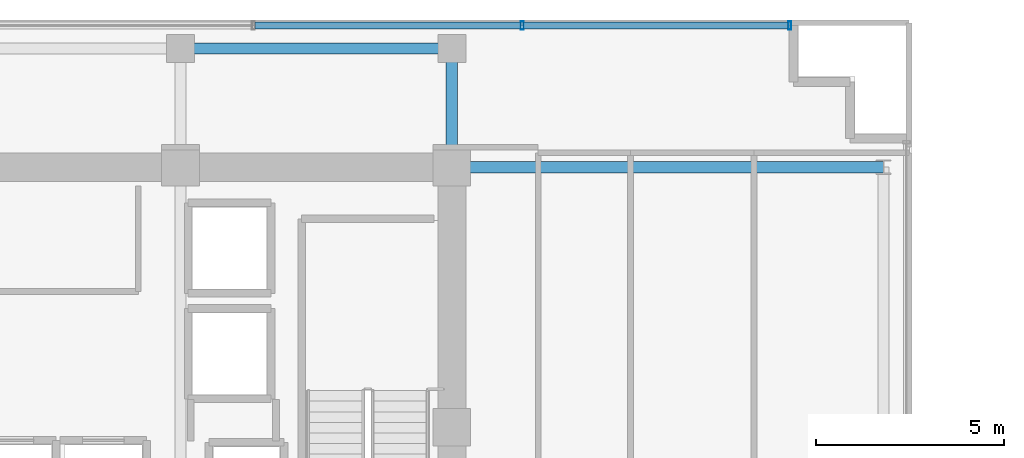
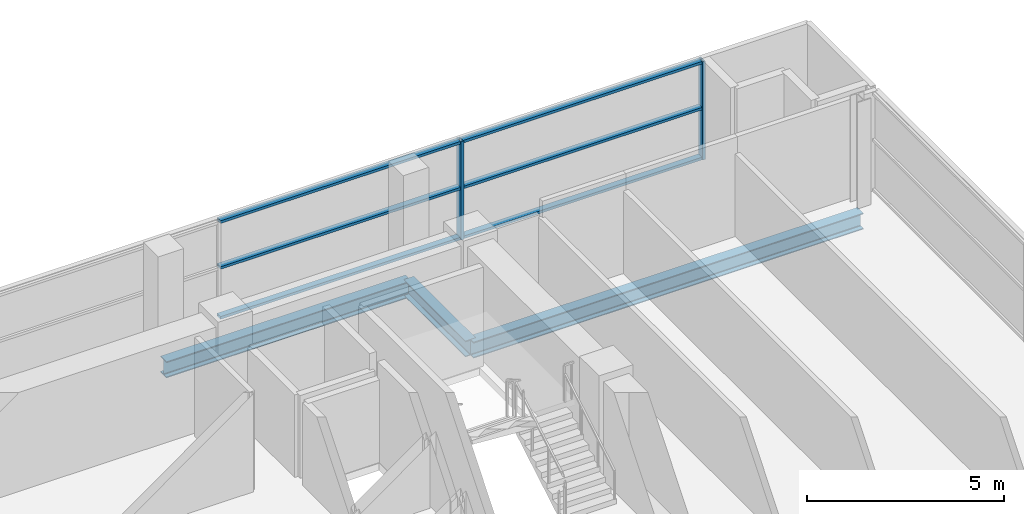
# One storey, part 12 of 21: 8 members, 3 beams, 1 element without a shape of its own.
"""IFC4 building model written with IfcOpenShell, lengths in metres."""

from ifc_helpers import new_model, si_unit, direction, frame, origin, origin_2d, place, context, subcontext, project, spatial, hollow_rectangle, i_section, extrude, source, transform, mapped, material, layer, layer_set, material_profile, profile_set, type_object, element, aggregate, save


model = new_model("IFC4")

# Units and contexts
model_context = context("Model", 3, precision=1e-05, world=origin(), true_north=direction((0.0, 1.0)))
body_context = subcontext(model_context, "Body", "Model", "MODEL_VIEW")
ifc_project = project(units=[si_unit("LENGTHUNIT", "METRE"), si_unit("AREAUNIT", "SQUARE_METRE"), si_unit("VOLUMEUNIT", "CUBIC_METRE"), si_unit("PLANEANGLEUNIT", "RADIAN"), si_unit("MASSUNIT", "GRAM", prefix="KILO")], contexts=[model_context])

# Site, building, storey
site_placement = place(None, origin())
site = spatial("IfcSite", under=ifc_project, at=site_placement, CompositionType="ELEMENT")
building_placement = place(site_placement, origin())
building = spatial("IfcBuilding", under=site, at=building_placement, Name="Zarnakvel Exchange Tower", CompositionType="ELEMENT")
storey_placement = place(building_placement, frame((0.0, 0.0, 189.10009765625)))
storey = spatial("IfcBuildingStorey", under=building, at=storey_placement, Name="L53", CompositionType="ELEMENT", Elevation=189.10009765625)

# Beams
ifc_material_1 = material(Name="Steel S355", Category="steel")
ifc_material_profile_1 = material_profile(ifc_material_1, i_section(OverallWidth=0.300048828125, OverallDepth=0.5, WebThickness=0.014404296875, FlangeThickness=0.028076171875, FilletRadius=0.027099609375, at=origin_2d()))
ifc_profile_set_1 = profile_set([ifc_material_profile_1], Name="Steel S355")
beam_type_1 = type_object("IfcBeamType", Name="G-06", PredefinedType="BEAM", material=ifc_profile_set_1)
beam_1_placement = place(storey_placement, frame((14.39990234375, 13.5, -0.47509765625), z_axis=(1.0, 0.0, 0.0), x_axis=(0.0, 1.0, 0.0)))
element("IfcBeam", 1, at=beam_1_placement, inside=storey, type_object=beam_type_1, Name="L53 Tower E-W Frame Beam", PredefinedType="BEAM", context=body_context, shape_type="SweptSolid", body=[
    extrude(i_section(OverallWidth=0.300048828125, OverallDepth=0.5, WebThickness=0.014404296875, FlangeThickness=0.028076171875, FilletRadius=0.027099609375, at=origin_2d()), origin(), (0.0, 0.0, 1.0), 11.4501953125),
])
beam_2_placement = place(storey_placement, frame((14.39990234375, 13.5, -0.47509765625), z_axis=(0.0, 1.0, 0.0), x_axis=(-1.0, 0.0, 0.0)))
element("IfcBeam", 2, at=beam_2_placement, inside=storey, type_object=beam_type_1, Name="L53 Tower N-S Frame Beam", PredefinedType="BEAM", context=body_context, shape_type="SweptSolid", body=[
    extrude(i_section(OverallWidth=0.300048828125, OverallDepth=0.5, WebThickness=0.014404296875, FlangeThickness=0.028076171875, FilletRadius=0.027099609375, at=origin_2d()), origin(), (0.0, 0.0, 1.0), 3.14990234375),
])
ifc_material_profile_2 = material_profile(ifc_material_1, i_section(OverallWidth=0.300048828125, OverallDepth=0.5, WebThickness=0.014404296875, FlangeThickness=0.028076171875, FilletRadius=0.027099609375, at=origin_2d()))
ifc_profile_set_2 = profile_set([ifc_material_profile_2], Name="Steel S355")
beam_type_2 = type_object("IfcBeamType", Name="SP-02", PredefinedType="SPANDREL", material=ifc_profile_set_2)
beam_3_placement = place(storey_placement, frame((7.199951171875, 16.64990234375, -0.47509765625), z_axis=(1.0, 0.0, 0.0), x_axis=(0.0, 1.0, 0.0)))
element("IfcBeam", 3, at=beam_3_placement, inside=storey, type_object=beam_type_2, Name="L53 Tower E-W Frame Beam", PredefinedType="SPANDREL", context=body_context, shape_type="SweptSolid", body=[
    extrude(i_section(OverallWidth=0.300048828125, OverallDepth=0.5, WebThickness=0.014404296875, FlangeThickness=0.028076171875, FilletRadius=0.027099609375, at=origin_2d()), origin(), (0.0, 0.0, 1.0), 7.199951171875),
])

# Curtain wall, members
ifc_material_2 = material(Name="Architectural Bronze Anodised Aluminium", Category="aluminium")
ifc_layer = layer(ifc_material_2, 0.219970703125)
ifc_layer_set = layer_set([ifc_layer], Name="Architectural Bronze Anodised Aluminium")
curtain_wall_type = type_object("IfcCurtainWallType", Name="CW-03", PredefinedType="NOTDEFINED", material=ifc_layer_set)
curtain_wall_placement = place(storey_placement, origin())
curtain_wall = element("IfcCurtainWall", 4, at=curtain_wall_placement, inside=storey, type_object=curtain_wall_type, Name="L53 Curtain Wall CW-L53-N1 (CW-03)", PredefinedType="NOTDEFINED")
ifc_material_profile_3 = material_profile(ifc_material_2, hollow_rectangle(XDim=0.219970703125, YDim=0.080078125, WallThickness=0.0048828125, at=origin_2d()))
ifc_profile_set_3 = profile_set([ifc_material_profile_3], Name="Architectural Bronze Anodised Aluminium")
member_type_1 = type_object("IfcMemberType", Name="CWM-03", PredefinedType="MULLION", material=ifc_profile_set_3)
shared_shape_1 = source(origin(), body_context, "Body", "SweptSolid", [
    extrude(hollow_rectangle(XDim=0.219970703125, YDim=0.080078125, WallThickness=0.0048828125, at=origin_2d()), origin(), (0.0, 0.0, 1.0), 3.054931640625),
])
member_1_placement = place(storey_placement, frame((16.2666015625, 17.260009765625, 0.0), z_axis=(0.0, 0.0, 1.0), x_axis=(0.0, 1.0, 0.0)))
member_1 = element("IfcMember", 5, at=member_1_placement, type_object=member_type_1, Name="CW-03 mullion 6", PredefinedType="MULLION", context=body_context, shape_type="MappedRepresentation", body=[
    mapped(shared_shape_1, transform((0.0, 0.0, 0.0), x_axis=(1.0, 0.0, 0.0), y_axis=(0.0, 1.0, 0.0), z_axis=(0.0, 0.0, 1.0), scale=1.0)),
])
member_2_placement = place(storey_placement, frame((23.360107421875, 17.260009765625, 0.0), z_axis=(0.0, 0.0, 1.0), x_axis=(0.0, 1.0, 0.0)))
member_2 = element("IfcMember", 6, at=member_2_placement, type_object=member_type_1, Name="CW-03 mullion 7", PredefinedType="MULLION", context=body_context, shape_type="MappedRepresentation", body=[
    mapped(shared_shape_1, transform((0.0, 0.0, 0.0), x_axis=(1.0, 0.0, 0.0), y_axis=(0.0, 1.0, 0.0), z_axis=(0.0, 0.0, 1.0), scale=1.0)),
])
ifc_material_profile_4 = material_profile(ifc_material_2, hollow_rectangle(XDim=0.179931640625, YDim=0.080078125, WallThickness=0.00390625, at=origin_2d()))
ifc_profile_set_4 = profile_set([ifc_material_profile_4], Name="Architectural Bronze Anodised Aluminium")
member_type_2 = type_object("IfcMemberType", Name="CWT-03", PredefinedType="USERDEFINED", material=ifc_profile_set_4)
shared_shape_2 = source(origin(), body_context, "Body", "SweptSolid", [
    extrude(hollow_rectangle(XDim=0.179931640625, YDim=0.080078125, WallThickness=0.00390625, at=origin_2d()), origin(), (0.0, 0.0, 1.0), 7.013427734375),
])
member_3_placement = place(storey_placement, frame((16.306640625, 17.260009765625, 0.039794921875), z_axis=(1.0, 0.0, 0.0), x_axis=(0.0, 1.0, 0.0)))
member_3 = element("IfcMember", 7, at=member_3_placement, type_object=member_type_2, Name="CW-03 transom 6.1", ObjectType="TRANSOM", PredefinedType="USERDEFINED", context=body_context, shape_type="MappedRepresentation", body=[
    mapped(shared_shape_2, transform((0.0, 0.0, 0.0), x_axis=(1.0, 0.0, 0.0), y_axis=(0.0, 1.0, 0.0), z_axis=(0.0, 0.0, 1.0), scale=1.0)),
])
member_4_placement = place(storey_placement, frame((16.306640625, 17.260009765625, 1.588623046875), z_axis=(1.0, 0.0, 0.0), x_axis=(0.0, 1.0, 0.0)))
member_4 = element("IfcMember", 8, at=member_4_placement, type_object=member_type_2, Name="CW-03 transom 6.2", ObjectType="TRANSOM", PredefinedType="USERDEFINED", context=body_context, shape_type="MappedRepresentation", body=[
    mapped(shared_shape_2, transform((0.0, 0.0, 0.0), x_axis=(1.0, 0.0, 0.0), y_axis=(0.0, 1.0, 0.0), z_axis=(0.0, 0.0, 1.0), scale=1.0)),
])
member_5_placement = place(storey_placement, frame((16.306640625, 17.260009765625, 3.014892578125), z_axis=(1.0, 0.0, 0.0), x_axis=(0.0, 1.0, 0.0)))
member_5 = element("IfcMember", 9, at=member_5_placement, type_object=member_type_2, Name="CW-03 transom 6.3", ObjectType="TRANSOM", PredefinedType="USERDEFINED", context=body_context, shape_type="MappedRepresentation", body=[
    mapped(shared_shape_2, transform((0.0, 0.0, 0.0), x_axis=(1.0, 0.0, 0.0), y_axis=(0.0, 1.0, 0.0), z_axis=(0.0, 0.0, 1.0), scale=1.0)),
])
shared_shape_3 = source(origin(), body_context, "Body", "SweptSolid", [
    extrude(hollow_rectangle(XDim=0.179931640625, YDim=0.080078125, WallThickness=0.00390625, at=origin_2d()), origin(), (0.0, 0.0, 1.0), 7.05322265625),
])
member_6_placement = place(storey_placement, frame((9.17333984375, 17.260009765625, 0.039794921875), z_axis=(1.0, 0.0, 0.0), x_axis=(0.0, 1.0, 0.0)))
member_6 = element("IfcMember", 10, at=member_6_placement, type_object=member_type_2, Name="CW-03 transom 5.1", ObjectType="TRANSOM", PredefinedType="USERDEFINED", context=body_context, shape_type="MappedRepresentation", body=[
    mapped(shared_shape_3, transform((0.0, 0.0, 0.0), x_axis=(1.0, 0.0, 0.0), y_axis=(0.0, 1.0, 0.0), z_axis=(0.0, 0.0, 1.0), scale=1.0)),
])
member_7_placement = place(storey_placement, frame((9.17333984375, 17.260009765625, 1.588623046875), z_axis=(1.0, 0.0, 0.0), x_axis=(0.0, 1.0, 0.0)))
member_7 = element("IfcMember", 11, at=member_7_placement, type_object=member_type_2, Name="CW-03 transom 5.2", ObjectType="TRANSOM", PredefinedType="USERDEFINED", context=body_context, shape_type="MappedRepresentation", body=[
    mapped(shared_shape_3, transform((0.0, 0.0, 0.0), x_axis=(1.0, 0.0, 0.0), y_axis=(0.0, 1.0, 0.0), z_axis=(0.0, 0.0, 1.0), scale=1.0)),
])
member_8_placement = place(storey_placement, frame((9.17333984375, 17.260009765625, 3.014892578125), z_axis=(1.0, 0.0, 0.0), x_axis=(0.0, 1.0, 0.0)))
member_8 = element("IfcMember", 12, at=member_8_placement, type_object=member_type_2, Name="CW-03 transom 5.3", ObjectType="TRANSOM", PredefinedType="USERDEFINED", context=body_context, shape_type="MappedRepresentation", body=[
    mapped(shared_shape_3, transform((0.0, 0.0, 0.0), x_axis=(1.0, 0.0, 0.0), y_axis=(0.0, 1.0, 0.0), z_axis=(0.0, 0.0, 1.0), scale=1.0)),
])
aggregate(curtain_wall, [member_1, member_2, member_6, member_7, member_8, member_3, member_4, member_5])

save(model, "model.ifc")
